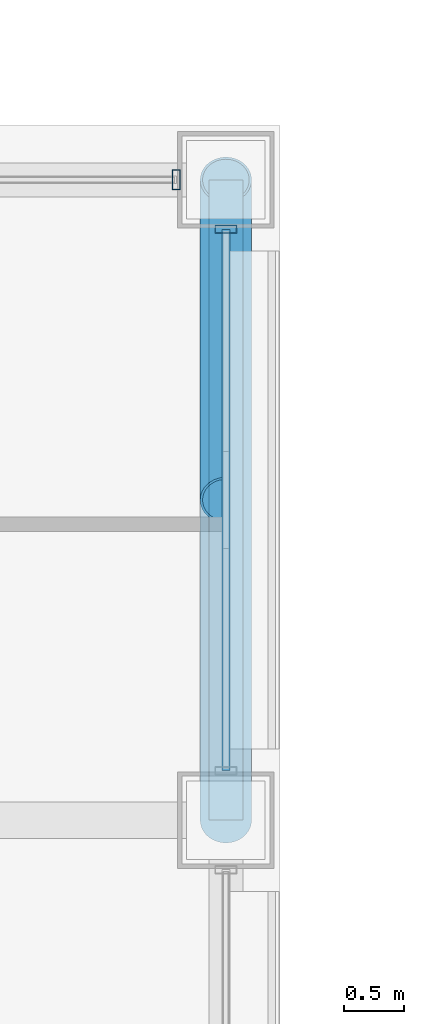
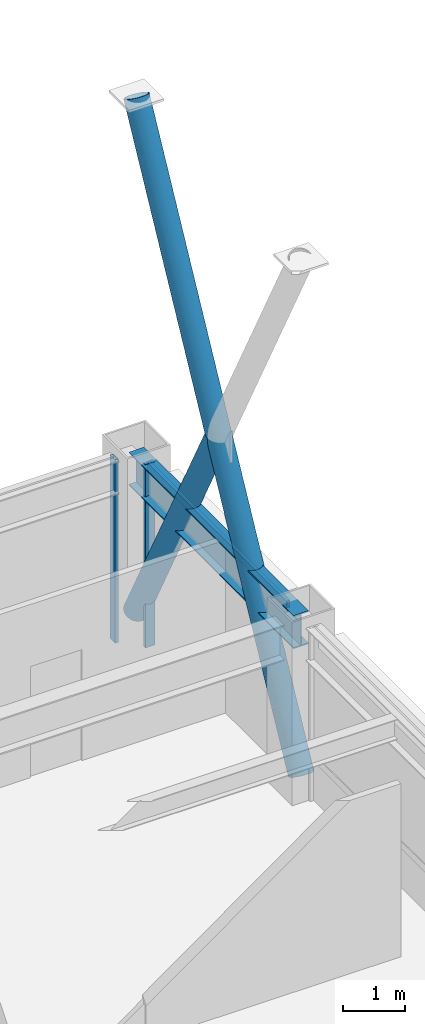
# One storey, part 25 of 35: 5 members, 1 beam, 2 elements without a shape of their own.
"""IFC4 building model written with IfcOpenShell, lengths in metres."""

import ifcopenshell
import ifcopenshell.guid

model = None  # the IFC model being written
_history = None  # IfcOwnerHistory: only IFC2X3 demands one
_inside = {}  # id of a spatial element -> (the spatial element, [elements in it])
_under = {}  # id of a project, library or spatial element -> (it, [spatial elements below it])
_declared = {}  # id of a project -> (the project, [libraries it declares])
_typed = {}  # id of a type object -> (the type object, [elements of that type])
_made_of = {}  # id of a material, layer set ... -> (it, [elements and type objects made of it])


def new_model(schema):
    """Start an empty IFC model of exactly this schema.

    Asked for "IFC4X3", IfcOpenShell would pick the latest addendum, in which some entities
    have other attributes; the version numbers below select the first issue.
    IFC2X3 requires an IfcOwnerHistory on every rooted entity: one is made here for all.
    """
    global model, _history
    if schema == "IFC4X3":
        model = ifcopenshell.file(schema_version=(4, 3, 0, 0))
    else:
        model = ifcopenshell.file(schema=schema)
    _inside.clear()
    _under.clear()
    _declared.clear()
    _typed.clear()
    _made_of.clear()
    _history = None
    if model.schema == "IFC2X3":
        org = make("IfcOrganization", Name="unknown")
        user = make(
            "IfcPersonAndOrganization",
            ThePerson=make("IfcPerson", FamilyName="unknown"),
            TheOrganization=org,
        )
        app = make(
            "IfcApplication",
            ApplicationDeveloper=org,
            Version="unknown",
            ApplicationFullName="unknown",
            ApplicationIdentifier="unknown",
        )
        _history = make(
            "IfcOwnerHistory",
            OwningUser=user,
            OwningApplication=app,
            ChangeAction="ADDED",
            CreationDate=0,
        )
    return model


def make(cls, **values):
    """One entity of the class cls with the attributes given. An attribute that is None is left unset."""
    return model.create_entity(
        cls, **{name: value for name, value in values.items() if value is not None}
    )


def rooted(cls, **values):
    """An entity with a GlobalId (a new one), such as an element, a storey or a relation."""
    return make(cls, GlobalId=ifcopenshell.guid.new(), OwnerHistory=_history, **values)


def si_unit(unit_type, name, prefix=None):
    """IfcSIUnit, for example si_unit("LENGTHUNIT", "METRE", prefix="MILLI")."""
    return make("IfcSIUnit", UnitType=unit_type, Prefix=prefix, Name=name)


def assignment(units):
    """IfcUnitAssignment: the units of a project."""
    return None if units is None else make("IfcUnitAssignment", Units=units)


def point(xyz):
    """IfcCartesianPoint."""
    return None if xyz is None else make("IfcCartesianPoint", Coordinates=xyz)


def direction(xyz):
    """IfcDirection."""
    return None if xyz is None else make("IfcDirection", DirectionRatios=xyz)


def frame(location, z_axis=None, x_axis=None):
    """IfcAxis2Placement3D, a coordinate frame: its origin and axes. An axis left out is left unset."""
    return make(
        "IfcAxis2Placement3D",
        Location=point(location),
        Axis=direction(z_axis),
        RefDirection=direction(x_axis),
    )


def frame_2d(location, x_axis=None):
    """IfcAxis2Placement2D, a coordinate frame in the plane: its origin and x axis."""
    return make(
        "IfcAxis2Placement2D", Location=point(location), RefDirection=direction(x_axis)
    )


def origin():
    """The frame at (0, 0, 0) with its axes left unset."""
    return frame((0.0, 0.0, 0.0))


def origin_2d():
    """The frame at (0, 0) in the plane with its x axis left unset."""
    return frame_2d((0.0, 0.0))


def place(relative_to, where):
    """IfcLocalPlacement: puts the frame where relative to a parent placement (None: the world)."""
    return make(
        "IfcLocalPlacement", PlacementRelTo=relative_to, RelativePlacement=where
    )


def context(
    kind, dimensions, precision=None, world=None, true_north=None, identifier=None
):
    """IfcGeometricRepresentationContext, for example the 3D "Model" context."""
    return make(
        "IfcGeometricRepresentationContext",
        ContextIdentifier=identifier,
        ContextType=kind,
        CoordinateSpaceDimension=dimensions,
        Precision=precision,
        WorldCoordinateSystem=world,
        TrueNorth=true_north,
    )


def subcontext(parent, identifier, kind, view, scale=None):
    """IfcGeometricRepresentationSubContext, for example "Body" below "Model"."""
    return make(
        "IfcGeometricRepresentationSubContext",
        ContextIdentifier=identifier,
        ContextType=kind,
        ParentContext=parent,
        TargetScale=scale,
        TargetView=view,
    )


def project(units=None, contexts=None):
    """IfcProject with its units and contexts."""
    return rooted(
        "IfcProject",
        Name="project",
        RepresentationContexts=contexts,
        UnitsInContext=assignment(units),
    )


def spatial(cls, under=None, at=None, **own):
    """A site, building, storey or space (cls), placed at a placement, below another one or the project."""
    s = rooted(cls, ObjectPlacement=at, **own)
    if under is not None:
        _under.setdefault(under.id(), (under, []))[1].append(s)
    return s


def profile(cls, at=None, kind="AREA", **sizes):
    """A parametric profile (cls). Its sizes go by their IFC names, for example OverallWidth=200.0."""
    return make(cls, ProfileType=kind, Position=at, **sizes)


def hollow_rectangle(**sizes):
    """IfcRectangleHollowProfileDef."""
    return profile("IfcRectangleHollowProfileDef", **sizes)


def hollow_circle(**sizes):
    """IfcCircleHollowProfileDef."""
    return profile("IfcCircleHollowProfileDef", **sizes)


def i_section(**sizes):
    """IfcIShapeProfileDef."""
    return profile("IfcIShapeProfileDef", **sizes)


def extrude(swept, where, along, depth):
    """IfcExtrudedAreaSolid: the profile swept, set in the frame where, extruded along a direction by depth."""
    return make(
        "IfcExtrudedAreaSolid",
        SweptArea=swept,
        Position=where,
        ExtrudedDirection=direction(along),
        Depth=depth,
    )


def shape(context_of_items, identifier, shape_type, items):
    """IfcShapeRepresentation: the items that make up one representation, for example the "Body"."""
    return make(
        "IfcShapeRepresentation",
        ContextOfItems=context_of_items,
        RepresentationIdentifier=identifier,
        RepresentationType=shape_type,
        Items=items,
    )


def material(Name=None, Category=None):
    """IfcMaterial."""
    return make("IfcMaterial", Name=Name, Category=Category)


def layer(
    of_material, thickness, ventilated=None, Name=None, Category=None, Priority=None
):
    """IfcMaterialLayer: one layer of a wall or slab, of a material (None: an air gap)."""
    return make(
        "IfcMaterialLayer",
        Material=of_material,
        LayerThickness=thickness,
        IsVentilated=ventilated,
        Name=Name,
        Category=Category,
        Priority=Priority,
    )


def layer_set(layers, Name=None):
    """IfcMaterialLayerSet."""
    return make("IfcMaterialLayerSet", MaterialLayers=layers, LayerSetName=Name)


def material_profile(
    of_material, cross_section, Name=None, Category=None, Priority=None
):
    """IfcMaterialProfile: a cross section and its material."""
    return make(
        "IfcMaterialProfile",
        Name=Name,
        Material=of_material,
        Profile=cross_section,
        Priority=Priority,
        Category=Category,
    )


def profile_set(profiles, Name=None, composite=None):
    """IfcMaterialProfileSet."""
    return make(
        "IfcMaterialProfileSet",
        Name=Name,
        MaterialProfiles=profiles,
        CompositeProfile=composite,
    )


def made_of(thing, what):
    """Note that an element or type object is made of a material, layer set ...; save() writes the relation."""
    if what is not None:
        _made_of.setdefault(what.id(), (what, []))[1].append(thing)
    return thing


def type_object(cls, material=None, **own):
    """A type object (cls), such as IfcWallType, which elements share."""
    return made_of(rooted(cls, **own), material)


def element(
    cls,
    number,
    at=None,
    inside=None,
    cuts=None,
    type_object=None,
    material=None,
    context=None,
    identifier="Body",
    shape_type=None,
    held_by="IfcProductDefinitionShape",
    body=None,
    shapes=None,
    **own,
):
    """One element of the class cls, such as IfcWall. Its Tag is "e" and its number.

    at: its placement. inside: the storey or other place that contains it. cuts: it is an
    opening in that element (IfcRelVoidsElement). A single representation is given by context,
    identifier, shape_type and body (its items); several are given by shapes. held_by: the class
    of the entity that holds the representations. save() writes the other relations.
    """
    e = rooted(cls, Tag="e%d" % number, ObjectPlacement=at, **own)
    if body is not None:
        shapes = [shape(context, identifier, shape_type, body)]
    if shapes is not None:
        e.Representation = make(held_by, Representations=shapes)
    if inside is not None:
        _inside.setdefault(inside.id(), (inside, []))[1].append(e)
    if cuts is not None:
        rooted(
            "IfcRelVoidsElement", RelatingBuildingElement=cuts, RelatedOpeningElement=e
        )
    if type_object is not None:
        _typed.setdefault(type_object.id(), (type_object, []))[1].append(e)
    return made_of(e, material)


def aggregate(whole, parts):
    """IfcRelAggregates: a whole, such as a stair, and the parts it consists of."""
    return rooted("IfcRelAggregates", RelatingObject=whole, RelatedObjects=parts)


def save(model, path):
    """Write the relations noted so far, then the file.

    IfcRelAggregates (storeys below a building ...), IfcRelContainedInSpatialStructure (elements
    in a storey), IfcRelDefinesByType, IfcRelAssociatesMaterial and IfcRelDeclares: one each for
    every whole, place, type object, material and project.
    """
    for whole, parts in _under.values():
        aggregate(whole, parts)
    for where, things in _inside.values():
        rooted(
            "IfcRelContainedInSpatialStructure",
            RelatedElements=things,
            RelatingStructure=where,
        )
    for kind, things in _typed.values():
        rooted("IfcRelDefinesByType", RelatedObjects=things, RelatingType=kind)
    for what, things in _made_of.values():
        rooted("IfcRelAssociatesMaterial", RelatedObjects=things, RelatingMaterial=what)
    for by, libraries in _declared.values():
        rooted("IfcRelDeclares", RelatingContext=by, RelatedDefinitions=libraries)
    model.write(path)


model = new_model("IFC4")

# Units and contexts
model_context = context("Model", 3, precision=1e-05, world=origin(), true_north=direction((0.0, 1.0)))
body_context = subcontext(model_context, "Body", "Model", "MODEL_VIEW")
ifc_project = project(units=[si_unit("LENGTHUNIT", "METRE"), si_unit("AREAUNIT", "SQUARE_METRE"), si_unit("VOLUMEUNIT", "CUBIC_METRE"), si_unit("PLANEANGLEUNIT", "RADIAN"), si_unit("MASSUNIT", "GRAM", prefix="KILO")], contexts=[model_context])

# Site, building, storey
site_placement = place(None, origin())
site = spatial("IfcSite", under=ifc_project, at=site_placement, CompositionType="ELEMENT")
building_placement = place(site_placement, origin())
building = spatial("IfcBuilding", under=site, at=building_placement, Name="Brelmoor Portico Tower", CompositionType="ELEMENT")
storey_placement = place(building_placement, frame((0.0, 0.0, 131.39990234375)))
storey = spatial("IfcBuildingStorey", under=building, at=storey_placement, Name="L34", CompositionType="ELEMENT", Elevation=131.39990234375)

# Beam
ifc_material_1 = material(Name="Steel Q355B", Category="steel")
ifc_material_profile_1 = material_profile(ifc_material_1, i_section(OverallWidth=0.280029296875, OverallDepth=0.64990234375, WebThickness=0.012939453125, FlangeThickness=0.02197265625, at=origin_2d()), Name="HN 650x280x13x22")
ifc_profile_set_1 = profile_set([ifc_material_profile_1], Name="Steel Q355B")
beam_type = type_object("IfcBeamType", Name="BM-SP-650", PredefinedType="SPANDREL", material=ifc_profile_set_1)
beam_placement = place(storey_placement, frame((22.550048828125, 9.75, 3.0751953125), z_axis=(0.0, 1.0, 0.0), x_axis=(-1.0, 0.0, 0.0)))
element("IfcBeam", 1, at=beam_placement, inside=storey, type_object=beam_type, Name="L34 Perimeter Spandrel Beam SP-24", PredefinedType="SPANDREL", context=body_context, shape_type="SweptSolid", body=[
    extrude(i_section(OverallWidth=0.280029296875, OverallDepth=0.64990234375, WebThickness=0.012939453125, FlangeThickness=0.02197265625, at=origin_2d()), origin(), (0.0, 0.0, 1.0), 5.300048828125),
])

# Members
ifc_material_profile_2 = material_profile(ifc_material_1, hollow_circle(Radius=0.212890625, WallThickness=0.02001953125, at=origin_2d()), Name="CHS 426x20")
ifc_profile_set_2 = profile_set([ifc_material_profile_2], Name="Steel Q355B")
member_type_1 = type_object("IfcMemberType", Name="MB-BELT-DIAG1", PredefinedType="BRACE", material=ifc_profile_set_2)
member_1_placement = place(storey_placement, frame((22.550048828125, 9.75, 0.25), z_axis=(0.0, 0.464661902242, 0.885488179822), x_axis=(-1.0, 0.0, 0.0)))
element("IfcMember", 2, at=member_1_placement, inside=storey, type_object=member_type_1, Name="L34 Continuous Mega-X Brace 083A", PredefinedType="BRACE", context=body_context, shape_type="SweptSolid", body=[
    extrude(hollow_circle(Radius=0.212890625, WallThickness=0.02001953125, at=origin_2d()), origin(), (0.0, 0.0, 1.0), 11.40625),
])
member_2_placement = place(storey_placement, frame((22.550048828125, 15.050048828125, 0.25), z_axis=(0.0, -0.464678684729, 0.885479372972), x_axis=(1.0, 0.0, 0.0)))
element("IfcMember", 3, at=member_2_placement, inside=storey, type_object=member_type_1, Name="L34 Split Mega-X Brace 083B1", PredefinedType="BRACE", context=body_context, shape_type="SweptSolid", body=[
    extrude(hollow_circle(Radius=0.212890625, WallThickness=0.02001953125, at=origin_2d()), origin(), (0.0, 0.0, 1.0), 5.703125),
])

# Curtain wall, member
ifc_material_2 = material(Name="Anodised Aluminium Alloy 6063-T6", Category="aluminium")
ifc_layer_1 = layer(ifc_material_2, 0.179931640625)
ifc_layer_set_1 = layer_set([ifc_layer_1], Name="Anodised Aluminium Alloy 6063-T6")
curtain_wall_type_1 = type_object("IfcCurtainWallType", Name="CW-NOTCH-CHAMFER", PredefinedType="NOTDEFINED", material=ifc_layer_set_1)
curtain_wall_1_placement = place(storey_placement, origin())
curtain_wall_1 = element("IfcCurtainWall", 4, at=curtain_wall_1_placement, inside=storey, type_object=curtain_wall_type_1, Name="L34 Curtain Wall CWN-L34-NEH", PredefinedType="NOTDEFINED")
ifc_material_profile_3 = material_profile(ifc_material_2, hollow_rectangle(XDim=0.06494140625, YDim=0.1650390625, WallThickness=0.00390625, at=origin_2d()), Name="ALU MULLION 65x165")
ifc_profile_set_3 = profile_set([ifc_material_profile_3], Name="Anodised Aluminium Alloy 6063-T6")
member_type_2 = type_object("IfcMemberType", Name="MB-CW-MULL-165", PredefinedType="MULLION", material=ifc_profile_set_3)
member_3_placement = place(storey_placement, frame((22.139892578125, 15.050048828125, -0.199951171875), z_axis=(0.0, 0.0, 1.0), x_axis=(1.0, 0.0, 0.0)))
member_3 = element("IfcMember", 5, at=member_3_placement, type_object=member_type_2, Name="CWN-L34-NEH Mullion 01", PredefinedType="MULLION", context=body_context, shape_type="SweptSolid", body=[
    extrude(hollow_rectangle(XDim=0.06494140625, YDim=0.1650390625, WallThickness=0.00390625, at=origin_2d()), origin(), (0.0, 0.0, 1.0), 3.60009765625),
])
aggregate(curtain_wall_1, [member_3])

# Curtain wall, members
ifc_layer_2 = layer(ifc_material_2, 0.179931640625)
ifc_layer_set_2 = layer_set([ifc_layer_2], Name="Anodised Aluminium Alloy 6063-T6")
curtain_wall_type_2 = type_object("IfcCurtainWallType", Name="CW-TOWER-Z2-XB", PredefinedType="NOTDEFINED", material=ifc_layer_set_2)
curtain_wall_2_placement = place(storey_placement, origin())
curtain_wall_2 = element("IfcCurtainWall", 6, at=curtain_wall_2_placement, inside=storey, type_object=curtain_wall_type_2, Name="L34 Curtain Wall CW-L34-4R-2", PredefinedType="NOTDEFINED")
ifc_material_profile_4 = material_profile(ifc_material_2, hollow_rectangle(XDim=0.06494140625, YDim=0.179931640625, WallThickness=0.00390625, at=origin_2d()), Name="ALU MULLION 65x180")
ifc_profile_set_4 = profile_set([ifc_material_profile_4], Name="Anodised Aluminium Alloy 6063-T6")
member_type_3 = type_object("IfcMemberType", Name="MB-CW-MULL-180", PredefinedType="MULLION", material=ifc_profile_set_4)
member_4_placement = place(storey_placement, frame((22.550048828125, 14.639892578125, -0.199951171875), z_axis=(0.0, 0.0, 1.0), x_axis=(0.0, 1.0, 0.0)))
member_4 = element("IfcMember", 7, at=member_4_placement, type_object=member_type_3, Name="CW-L34-4R-2 Mullion 01", PredefinedType="MULLION", context=body_context, shape_type="SweptSolid", body=[
    extrude(hollow_rectangle(XDim=0.06494140625, YDim=0.179931640625, WallThickness=0.00390625, at=origin_2d()), origin(), (0.0, 0.0, 1.0), 3.60009765625),
])
ifc_material_profile_5 = material_profile(ifc_material_2, hollow_rectangle(XDim=0.06494140625, YDim=0.139892578125, WallThickness=0.00390625, at=origin_2d()), Name="ALU TRANSOM 65x140")
ifc_profile_set_5 = profile_set([ifc_material_profile_5], Name="Anodised Aluminium Alloy 6063-T6")
member_type_4 = type_object("IfcMemberType", Name="MB-CW-TRAN-140", PredefinedType="USERDEFINED", material=ifc_profile_set_5)
member_5_placement = place(storey_placement, frame((22.550048828125, 10.159912109375, 3.330078125), z_axis=(0.0, 1.0, 0.0), x_axis=(-1.0, 0.0, 0.0)))
member_5 = element("IfcMember", 8, at=member_5_placement, type_object=member_type_4, Name="CW-L34-4R-2 Transom 1-00", ObjectType="TRANSOM", PredefinedType="USERDEFINED", context=body_context, shape_type="SweptSolid", body=[
    extrude(hollow_rectangle(XDim=0.06494140625, YDim=0.139892578125, WallThickness=0.00390625, at=origin_2d()), origin(), (0.0, 0.0, 1.0), 4.47998046875),
])
aggregate(curtain_wall_2, [member_4, member_5])

save(model, "model.ifc")
